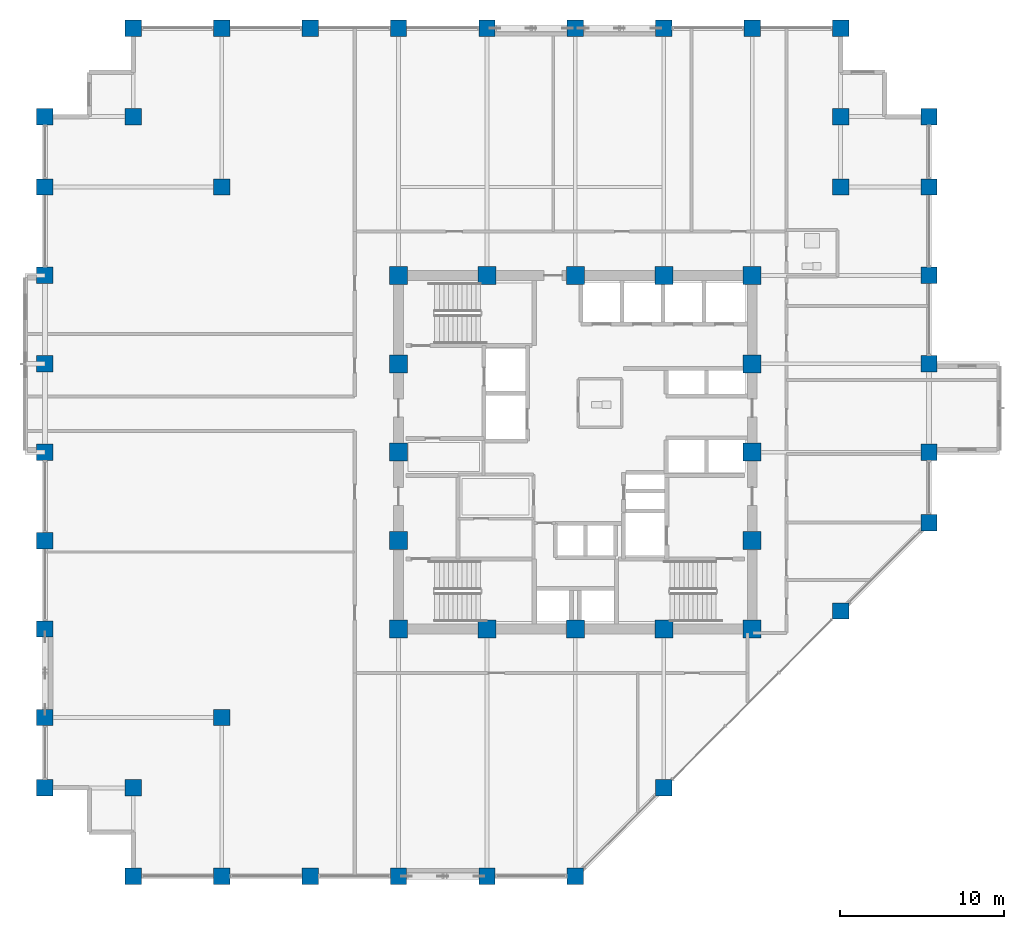
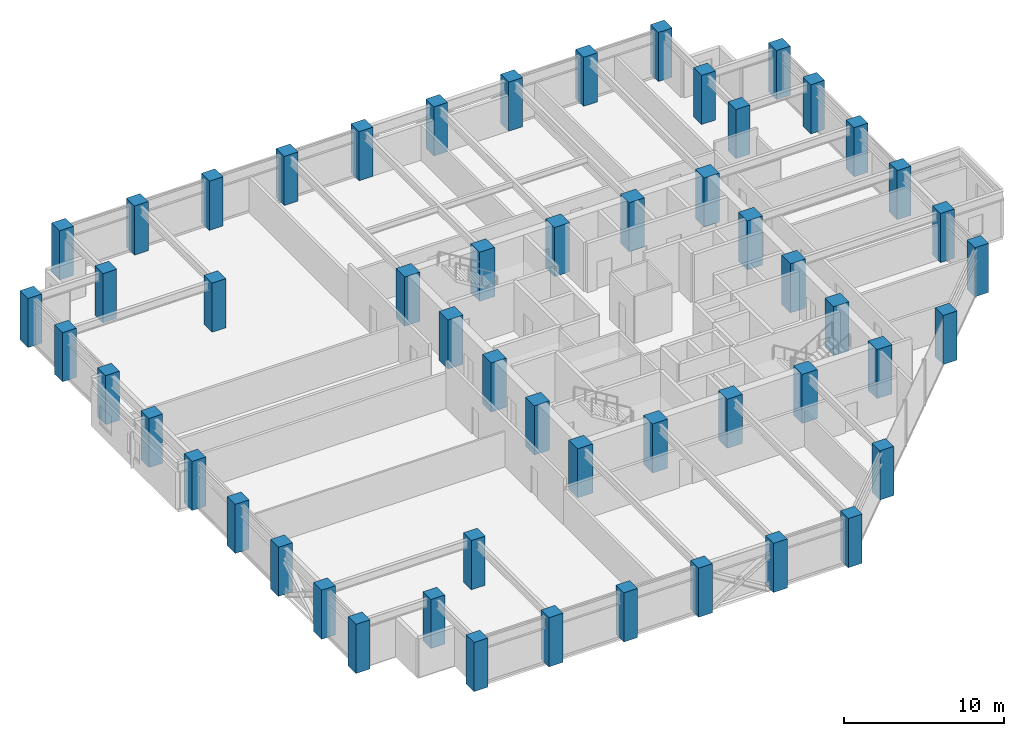
# One storey, part 1 of 25: 54 columns.
"""IFC4 building model written with IfcOpenShell, lengths in metres."""

from ifc_helpers import new_model, si_unit, direction, frame, origin, origin_2d, place, context, subcontext, project, spatial, rectangle, extrude, material, material_profile, profile_set, type_object, element, save


model = new_model("IFC4")

# Units and contexts
model_context = context("Model", 3, precision=1e-05, world=origin(), true_north=direction((0.0, 1.0)))
body_context = subcontext(model_context, "Body", "Model", "MODEL_VIEW")
ifc_project = project(units=[si_unit("LENGTHUNIT", "METRE"), si_unit("AREAUNIT", "SQUARE_METRE"), si_unit("VOLUMEUNIT", "CUBIC_METRE"), si_unit("PLANEANGLEUNIT", "RADIAN"), si_unit("MASSUNIT", "GRAM", prefix="KILO")], contexts=[model_context])

# Site, building, storey
site_placement = place(None, origin())
site = spatial("IfcSite", under=ifc_project, at=site_placement, CompositionType="ELEMENT")
building_placement = place(site_placement, origin())
building = spatial("IfcBuilding", under=site, at=building_placement, Name="Surkhivell Harbour Commons", CompositionType="ELEMENT")
storey_placement = place(building_placement, frame((0.0, 0.0, 139.5)))
storey = spatial("IfcBuildingStorey", under=building, at=storey_placement, Name="L36", CompositionType="ELEMENT", Elevation=139.5)

# Columns
ifc_material = material(Name="Concrete C60/75", Category="concrete")
ifc_material_profile_1 = material_profile(ifc_material, rectangle(XDim=1.10009765625, YDim=1.10009765625, at=origin_2d()), Name="RC-COL-1100x1100")
ifc_profile_set_1 = profile_set([ifc_material_profile_1], Name="Concrete C60/75")
column_type_1 = type_object("IfcColumnType", Name="COL-TUBE-Z2A", PredefinedType="COLUMN", material=ifc_profile_set_1)
for number, where, z_axis, x_axis, name in (
    (1, (-10.800048828125, -10.800048828125, 0.0), (0.0, 0.0, 1.0), (1.0, 0.0, 0.0), "L36 Column CT-2A (-10.8,-10.8)"),
    (2, (-10.800048828125, -5.39990234375, 0.0), (0.0, 0.0, 1.0), (1.0, 0.0, 0.0), "L36 Column CT-2A (-10.8,-5.4)"),
    (3, (-10.800048828125, 0.0, 0.0), (0.0, 0.0, 1.0), (1.0, 0.0, 0.0), "L36 Column CT-2A (-10.8,0.0)"),
    (4, (-10.800048828125, 5.39990234375, 0.0), (0.0, 0.0, 1.0), (1.0, 0.0, 0.0), "L36 Column CT-2A (-10.8,5.4)"),
    (5, (-10.800048828125, 10.800048828125, 0.0), (0.0, 0.0, 1.0), (1.0, 0.0, 0.0), "L36 Column CT-2A (-10.8,10.8)"),
    (6, (-5.39990234375, -10.800048828125, 0.0), (0.0, 0.0, 1.0), (1.0, 0.0, 0.0), "L36 Column CT-2A (-5.4,-10.8)"),
    (7, (-5.39990234375, 10.800048828125, 0.0), (0.0, 0.0, 1.0), (1.0, 0.0, 0.0), "L36 Column CT-2A (-5.4,10.8)"),
    (8, (0.0, -10.800048828125, 0.0), (0.0, 0.0, 1.0), (1.0, 0.0, 0.0), "L36 Column CT-2A (0.0,-10.8)"),
    (9, (0.0, 10.800048828125, 0.0), (0.0, 0.0, 1.0), (1.0, 0.0, 0.0), "L36 Column CT-2A (0.0,10.8)"),
    (10, (5.39990234375, -10.800048828125, 0.0), (0.0, 0.0, 1.0), (1.0, 0.0, 0.0), "L36 Column CT-2A (5.4,-10.8)"),
    (11, (5.39990234375, 10.800048828125, 0.0), (0.0, 0.0, 1.0), (1.0, 0.0, 0.0), "L36 Column CT-2A (5.4,10.8)"),
    (12, (10.800048828125, -10.800048828125, 0.0), (0.0, 0.0, 1.0), (1.0, 0.0, 0.0), "L36 Column CT-2A (10.8,-10.8)"),
    (13, (10.800048828125, -5.39990234375, 0.0), (0.0, 0.0, 1.0), (1.0, 0.0, 0.0), "L36 Column CT-2A (10.8,-5.4)"),
    (14, (10.800048828125, 0.0, 0.0), (0.0, 0.0, 1.0), (1.0, 0.0, 0.0), "L36 Column CT-2A (10.8,0.0)"),
    (15, (10.800048828125, 5.39990234375, 0.0), (0.0, 0.0, 1.0), (1.0, 0.0, 0.0), "L36 Column CT-2A (10.8,5.4)"),
    (16, (10.800048828125, 10.800048828125, 0.0), (0.0, 0.0, 1.0), (1.0, 0.0, 0.0), "L36 Column CT-2A (10.8,10.8)"),
):
    element("IfcColumn", number, at=place(storey_placement, frame(where, z_axis=z_axis, x_axis=x_axis)), inside=storey, type_object=column_type_1, Name=name, PredefinedType="COLUMN", context=body_context, shape_type="SweptSolid", body=[
        extrude(rectangle(XDim=1.10009765625, YDim=1.10009765625, at=origin_2d()), origin(), (0.0, 0.0, 1.0), 3.75),
    ])
ifc_material_profile_2 = material_profile(ifc_material, rectangle(XDim=1.0, YDim=1.0, at=origin_2d()), Name="RC-COL-1000x1000")
ifc_profile_set_2 = profile_set([ifc_material_profile_2], Name="Concrete C60/75")
column_type_2 = type_object("IfcColumnType", Name="COL-TUBE-Z2B", PredefinedType="COLUMN", material=ifc_profile_set_2)
for number, where, z_axis, x_axis, name in (
    (17, (-32.39990234375, -20.5, 0.0), (0.0, 0.0, 1.0), (1.0, 0.0, 0.0), "L36 Column CT-2B (-32.4,-20.5)"),
    (18, (-32.39990234375, -16.199951171875, 0.0), (0.0, 0.0, 1.0), (1.0, 0.0, 0.0), "L36 Column CT-2B (-32.4,-16.2)"),
    (19, (-32.39990234375, -10.800048828125, 0.0), (0.0, 0.0, 1.0), (1.0, 0.0, 0.0), "L36 Column CT-2B (-32.4,-10.8)"),
    (20, (-32.39990234375, -5.39990234375, 0.0), (0.0, 0.0, 1.0), (1.0, 0.0, 0.0), "L36 Column CT-2B (-32.4,-5.4)"),
    (21, (-32.39990234375, 0.0, 0.0), (0.0, 0.0, 1.0), (1.0, 0.0, 0.0), "L36 Column CT-2B (-32.4,0.0)"),
    (22, (-32.39990234375, 5.39990234375, 0.0), (0.0, 0.0, 1.0), (1.0, 0.0, 0.0), "L36 Column CT-2B (-32.4,5.4)"),
    (23, (-32.39990234375, 10.800048828125, 0.0), (0.0, 0.0, 1.0), (1.0, 0.0, 0.0), "L36 Column CT-2B (-32.4,10.8)"),
    (24, (-32.39990234375, 16.199951171875, 0.0), (0.0, 0.0, 1.0), (1.0, 0.0, 0.0), "L36 Column CT-2B (-32.4,16.2)"),
    (25, (-32.39990234375, 20.5, 0.0), (0.0, 0.0, 1.0), (1.0, 0.0, 0.0), "L36 Column CT-2B (-32.4,20.5)"),
    (26, (-27.0, -25.89990234375, 0.0), (0.0, 0.0, 1.0), (1.0, 0.0, 0.0), "L36 Column CT-2B (-27.0,-25.9)"),
    (27, (-27.0, -20.5, 0.0), (0.0, 0.0, 1.0), (1.0, 0.0, 0.0), "L36 Column CT-2B (-27.0,-20.5)"),
    (28, (-27.0, 20.5, 0.0), (0.0, 0.0, 1.0), (1.0, 0.0, 0.0), "L36 Column CT-2B (-27.0,20.5)"),
    (29, (-27.0, 25.89990234375, 0.0), (0.0, 0.0, 1.0), (1.0, 0.0, 0.0), "L36 Column CT-2B (-27.0,25.9)"),
    (30, (-21.60009765625, -25.89990234375, 0.0), (0.0, 0.0, 1.0), (1.0, 0.0, 0.0), "L36 Column CT-2B (-21.6,-25.9)"),
    (31, (-21.60009765625, -16.199951171875, 0.0), (0.0, 0.0, 1.0), (1.0, 0.0, 0.0), "L36 Column CT-2B (-21.6,-16.2)"),
    (32, (-21.60009765625, 16.199951171875, 0.0), (0.0, 0.0, 1.0), (1.0, 0.0, 0.0), "L36 Column CT-2B (-21.6,16.2)"),
    (33, (-21.60009765625, 25.89990234375, 0.0), (0.0, 0.0, 1.0), (1.0, 0.0, 0.0), "L36 Column CT-2B (-21.6,25.9)"),
    (34, (-16.199951171875, -25.89990234375, 0.0), (0.0, 0.0, 1.0), (1.0, 0.0, 0.0), "L36 Column CT-2B (-16.2,-25.9)"),
    (35, (-16.199951171875, 25.89990234375, 0.0), (0.0, 0.0, 1.0), (1.0, 0.0, 0.0), "L36 Column CT-2B (-16.2,25.9)"),
    (36, (-10.800048828125, -25.89990234375, 0.0), (0.0, 0.0, 1.0), (1.0, 0.0, 0.0), "L36 Column CT-2B (-10.8,-25.9)"),
    (37, (-10.800048828125, 25.89990234375, 0.0), (0.0, 0.0, 1.0), (1.0, 0.0, 0.0), "L36 Column CT-2B (-10.8,25.9)"),
    (38, (-5.39990234375, -25.89990234375, 0.0), (0.0, 0.0, 1.0), (1.0, 0.0, 0.0), "L36 Column CT-2B (-5.4,-25.9)"),
    (39, (-5.39990234375, 25.89990234375, 0.0), (0.0, 0.0, 1.0), (1.0, 0.0, 0.0), "L36 Column CT-2B (-5.4,25.9)"),
    (40, (0.0, -25.89990234375, 0.0), (0.0, 0.0, 1.0), (1.0, 0.0, 0.0), "L36 Column CT-2B (-0.0,-25.9)"),
    (41, (0.0, 25.89990234375, 0.0), (0.0, 0.0, 1.0), (1.0, 0.0, 0.0), "L36 Column CT-2B (-0.0,25.9)"),
    (42, (5.39990234375, -20.5, 0.0), (0.0, 0.0, 1.0), (1.0, 0.0, 0.0), "L36 Column CT-2B (5.4,-20.5)"),
    (43, (5.39990234375, 25.89990234375, 0.0), (0.0, 0.0, 1.0), (1.0, 0.0, 0.0), "L36 Column CT-2B (5.4,25.9)"),
    (44, (10.800048828125, 25.89990234375, 0.0), (0.0, 0.0, 1.0), (1.0, 0.0, 0.0), "L36 Column CT-2B (10.8,25.9)"),
    (45, (16.199951171875, -9.699951171875, 0.0), (0.0, 0.0, 1.0), (1.0, 0.0, 0.0), "L36 Column CT-2B (16.2,-9.7)"),
    (46, (16.199951171875, 16.199951171875, 0.0), (0.0, 0.0, 1.0), (1.0, 0.0, 0.0), "L36 Column CT-2B (16.2,16.2)"),
    (47, (16.199951171875, 20.5, 0.0), (0.0, 0.0, 1.0), (1.0, 0.0, 0.0), "L36 Column CT-2B (16.2,20.5)"),
    (48, (16.199951171875, 25.89990234375, 0.0), (0.0, 0.0, 1.0), (1.0, 0.0, 0.0), "L36 Column CT-2B (16.2,25.9)"),
    (49, (21.60009765625, -4.300048828125, 0.0), (0.0, 0.0, 1.0), (1.0, 0.0, 0.0), "L36 Column CT-2B (21.6,-4.3)"),
    (50, (21.60009765625, 0.0, 0.0), (0.0, 0.0, 1.0), (1.0, 0.0, 0.0), "L36 Column CT-2B (21.6,0.0)"),
    (51, (21.60009765625, 5.39990234375, 0.0), (0.0, 0.0, 1.0), (1.0, 0.0, 0.0), "L36 Column CT-2B (21.6,5.4)"),
    (52, (21.60009765625, 10.800048828125, 0.0), (0.0, 0.0, 1.0), (1.0, 0.0, 0.0), "L36 Column CT-2B (21.6,10.8)"),
    (53, (21.60009765625, 16.199951171875, 0.0), (0.0, 0.0, 1.0), (1.0, 0.0, 0.0), "L36 Column CT-2B (21.6,16.2)"),
    (54, (21.60009765625, 20.5, 0.0), (0.0, 0.0, 1.0), (1.0, 0.0, 0.0), "L36 Column CT-2B (21.6,20.5)"),
):
    element("IfcColumn", number, at=place(storey_placement, frame(where, z_axis=z_axis, x_axis=x_axis)), inside=storey, type_object=column_type_2, Name=name, PredefinedType="COLUMN", context=body_context, shape_type="SweptSolid", body=[
        extrude(rectangle(XDim=1.0, YDim=1.0, at=origin_2d()), origin(), (0.0, 0.0, 1.0), 3.75),
    ])

save(model, "model.ifc")
